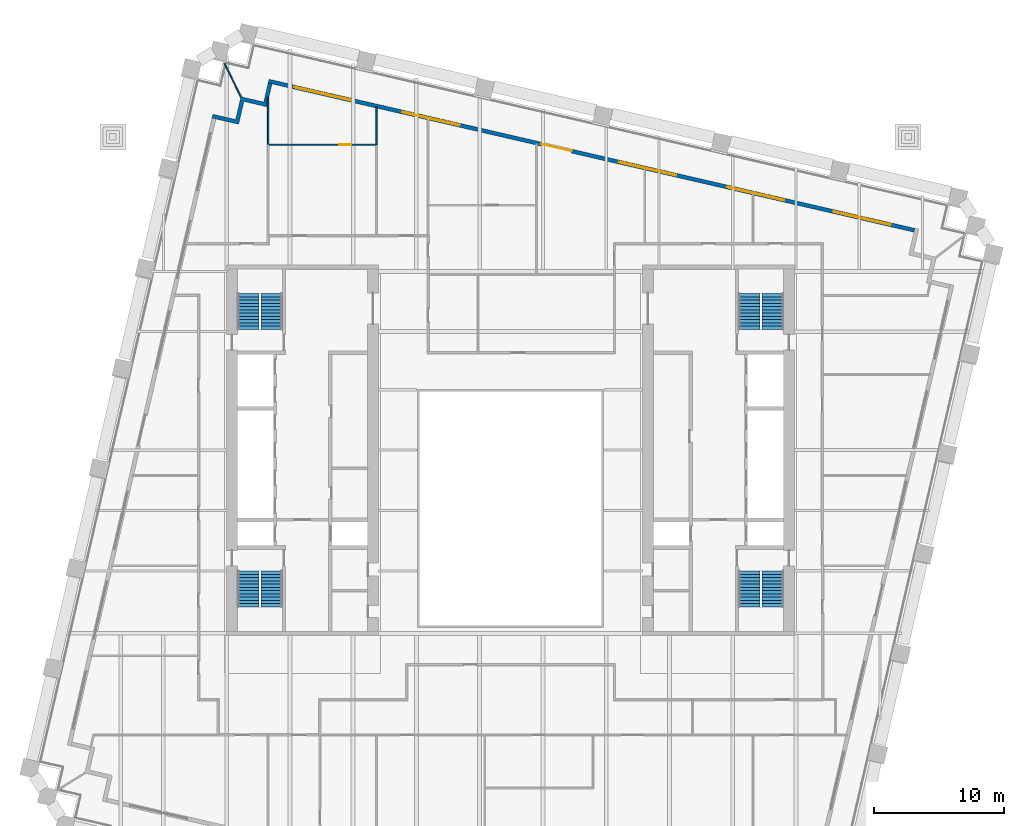
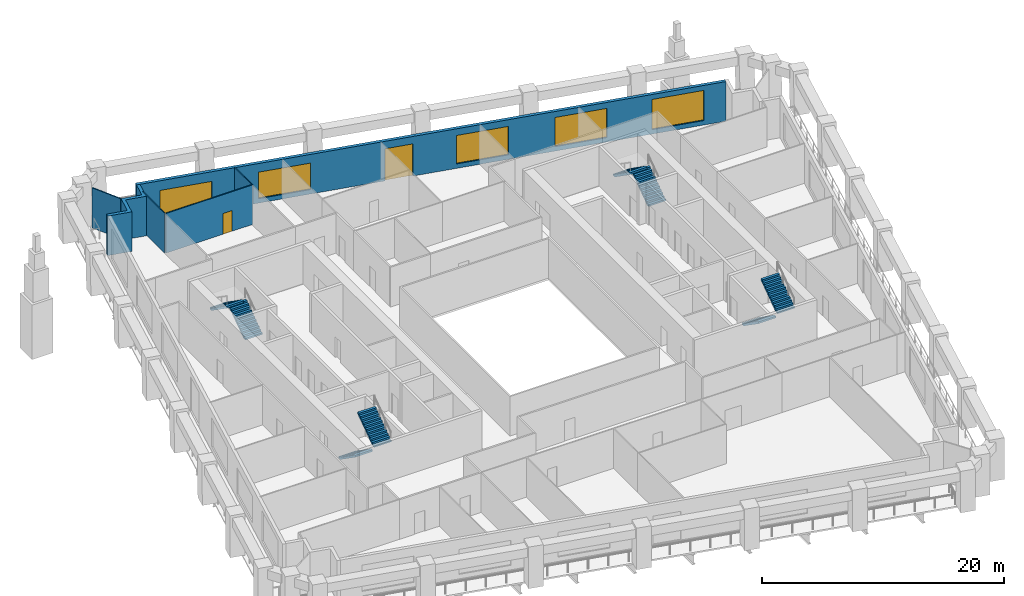
# One storey, part 9 of 10: 8 stair flights, 6 walls, 5 windows, 2 doors, 7 openings, 4 elements without a shape of their own.
"""IFC4 building model written with IfcOpenShell, lengths in metres."""

from ifc_helpers import new_model, si_unit, direction, frame, frame_2d, origin, place, context, subcontext, project, spatial, polyline, rectangle, outline, extrude, material, layer, layer_set, type_object, element, fill, aggregate, save


model = new_model("IFC4")

# Units and contexts
model_context = context("Model", 3, precision=1e-05, world=origin(), true_north=direction((0.0, 1.0)))
body_context = subcontext(model_context, "Body", "Model", "MODEL_VIEW")
ifc_project = project(units=[si_unit("LENGTHUNIT", "METRE"), si_unit("AREAUNIT", "SQUARE_METRE"), si_unit("VOLUMEUNIT", "CUBIC_METRE"), si_unit("PLANEANGLEUNIT", "RADIAN"), si_unit("MASSUNIT", "GRAM", prefix="KILO")], contexts=[model_context])

# Site, building, storey
site_placement = place(None, origin())
site = spatial("IfcSite", under=ifc_project, at=site_placement, CompositionType="ELEMENT")
building_placement = place(site_placement, origin())
building = spatial("IfcBuilding", under=site, at=building_placement, Name="Ogive Exchange Tower", CompositionType="ELEMENT")
storey_placement = place(building_placement, frame((0.0, 0.0, 105.60009765625)))
storey = spatial("IfcBuildingStorey", under=building, at=storey_placement, Name="L22", CompositionType="ELEMENT", Elevation=105.60009765625)

# Wall, openings, door, windows
ifc_material_1 = material(Name="Precast concrete C40/50", Category="concrete")
ifc_layer_1 = layer(ifc_material_1, 0.300048828125)
ifc_layer_set_1 = layer_set([ifc_layer_1], Name="Limestone-faced wall 300")
wall_type_1 = type_object("IfcWallType", Name="Limestone-faced wall 300", PredefinedType="STANDARD", material=ifc_layer_set_1)
wall_1_placement = place(storey_placement, frame((31.07763671875, 28.4208984375, 0.0), z_axis=(0.0, 0.0, 1.0), x_axis=(-0.974370456532, 0.224949357493, 0.0)))
wall_1 = element("IfcWall", 1, at=wall_1_placement, inside=storey, type_object=wall_type_1, Name="External wall N3", PredefinedType="STANDARD", context=body_context, shape_type="SweptSolid", body=[
    extrude(rectangle(XDim=51.0, YDim=0.300048828125, at=frame_2d((25.5, 0.0))), origin(), (0.0, 0.0, 1.0), 4.0),
])
opening_1_placement = place(wall_1_placement, frame((1.875, 0.0, 0.449951171875)))
opening_1 = element("IfcOpeningElement", 2, at=opening_1_placement, cuts=wall_1, Name="Opening W1", PredefinedType="OPENING", context=body_context, shape_type="SweptSolid", body=[
    extrude(rectangle(XDim=4.5, YDim=3.050048828125, at=frame_2d((2.25, 1.52490234375))), frame((0.0, 0.159912109375, 0.0), z_axis=(0.0, -1.0, 0.0), x_axis=(1.0, 0.0, 0.0)), (0.0, 0.0, 1.0), 0.320068359375),
])
opening_2_placement = place(wall_1_placement, frame((10.27490234375, 0.0, 0.449951171875)))
opening_2 = element("IfcOpeningElement", 3, at=opening_2_placement, cuts=wall_1, Name="Opening W1B", PredefinedType="OPENING", context=body_context, shape_type="SweptSolid", body=[
    extrude(rectangle(XDim=4.5, YDim=2.949951171875, at=frame_2d((2.25, 1.47509765625))), frame((0.0, 0.159912109375, 0.0), z_axis=(0.0, -1.0, 0.0), x_axis=(1.0, 0.0, 0.0)), (0.0, 0.0, 1.0), 0.320068359375),
])
opening_3_placement = place(wall_1_placement, frame((18.824951171875, 0.0, 0.449951171875)))
opening_3 = element("IfcOpeningElement", 4, at=opening_3_placement, cuts=wall_1, Name="Opening W1D", PredefinedType="OPENING", context=body_context, shape_type="SweptSolid", body=[
    extrude(rectangle(XDim=4.5, YDim=2.875, at=frame_2d((2.25, 1.4375))), frame((0.0, 0.159912109375, 0.0), z_axis=(0.0, -1.0, 0.0), x_axis=(1.0, 0.0, 0.0)), (0.0, 0.0, 1.0), 0.320068359375),
])
opening_4_placement = place(wall_1_placement, frame((27.074951171875, 0.0, 0.0)))
opening_4 = element("IfcOpeningElement", 5, at=opening_4_placement, cuts=wall_1, Name="Opening D1F", PredefinedType="OPENING", context=body_context, shape_type="SweptSolid", body=[
    extrude(rectangle(XDim=2.39990234375, YDim=3.25, at=frame_2d((1.199951171875, 1.625))), frame((0.0, 0.159912109375, 0.0), z_axis=(0.0, -1.0, 0.0), x_axis=(1.0, 0.0, 0.0)), (0.0, 0.0, 1.0), 0.320068359375),
])
opening_5_placement = place(wall_1_placement, frame((35.925048828125, 0.0, 0.449951171875)))
opening_5 = element("IfcOpeningElement", 6, at=opening_5_placement, cuts=wall_1, Name="Opening W1J", PredefinedType="OPENING", context=body_context, shape_type="SweptSolid", body=[
    extrude(rectangle(XDim=4.5, YDim=2.675048828125, at=frame_2d((2.25, 1.33740234375))), frame((0.0, 0.159912109375, 0.0), z_axis=(0.0, -1.0, 0.0), x_axis=(1.0, 0.0, 0.0)), (0.0, 0.0, 1.0), 0.320068359375),
])
opening_6_placement = place(wall_1_placement, frame((44.47509765625, 0.0, 0.449951171875)))
opening_6 = element("IfcOpeningElement", 7, at=opening_6_placement, cuts=wall_1, Name="Opening W1M", PredefinedType="OPENING", context=body_context, shape_type="SweptSolid", body=[
    extrude(rectangle(XDim=4.5, YDim=2.574951171875, at=frame_2d((2.25, 1.28759765625))), frame((0.0, 0.159912109375, 0.0), z_axis=(0.0, -1.0, 0.0), x_axis=(1.0, 0.0, 0.0)), (0.0, 0.0, 1.0), 0.320068359375),
])
ifc_material_2 = material(Name="Clear glass in bronze frame", Category="glass")
door_type_1 = type_object("IfcDoorType", Name="Sliding loggia door 2400 x 3250", OperationType="DOUBLE_DOOR_SLIDING", PredefinedType="DOOR", material=ifc_material_2)
door_1_placement = place(opening_4_placement, origin())
door_1 = element("IfcDoor", 8, at=door_1_placement, inside=storey, type_object=door_type_1, Name="Loggia door N03", OperationType="DOUBLE_DOOR_SLIDING", OverallHeight=3.25, OverallWidth=2.39990234375, PredefinedType="DOOR", context=body_context, shape_type="SweptSolid", body=[
    extrude(rectangle(XDim=2.39990234375, YDim=3.25, at=frame_2d((1.199951171875, 1.625))), frame((0.0, 0.02490234375, 0.0), z_axis=(0.0, -1.0, 0.0), x_axis=(1.0, 0.0, 0.0)), (0.0, 0.0, 1.0), 0.050048828125),
])
fill(opening_4, door_1)
window_type_1 = type_object("IfcWindowType", Name="Twin lancet window 4500 x 2575", PartitioningType="DOUBLE_PANEL_VERTICAL", PredefinedType="WINDOW", material=ifc_material_2)
window_1_placement = place(opening_6_placement, origin())
window_1 = element("IfcWindow", 9, at=window_1_placement, inside=storey, type_object=window_type_1, Name="Window N05", OverallHeight=2.574951171875, OverallWidth=4.5, PartitioningType="DOUBLE_PANEL_VERTICAL", PredefinedType="WINDOW", context=body_context, shape_type="SweptSolid", body=[
    extrude(rectangle(XDim=4.5, YDim=2.574951171875, at=frame_2d((2.25, 1.28759765625))), frame((0.0, 0.030029296875, 0.0), z_axis=(0.0, -1.0, 0.0), x_axis=(1.0, 0.0, 0.0)), (0.0, 0.0, 1.0), 0.06005859375),
])
fill(opening_6, window_1)
window_type_2 = type_object("IfcWindowType", Name="Twin lancet window 4500 x 2675", PartitioningType="DOUBLE_PANEL_VERTICAL", PredefinedType="WINDOW", material=ifc_material_2)
window_2_placement = place(opening_5_placement, origin())
window_2 = element("IfcWindow", 10, at=window_2_placement, inside=storey, type_object=window_type_2, Name="Window N04", OverallHeight=2.675048828125, OverallWidth=4.5, PartitioningType="DOUBLE_PANEL_VERTICAL", PredefinedType="WINDOW", context=body_context, shape_type="SweptSolid", body=[
    extrude(rectangle(XDim=4.5, YDim=2.675048828125, at=frame_2d((2.25, 1.33740234375))), frame((0.0, 0.030029296875, 0.0), z_axis=(0.0, -1.0, 0.0), x_axis=(1.0, 0.0, 0.0)), (0.0, 0.0, 1.0), 0.06005859375),
])
fill(opening_5, window_2)
window_type_3 = type_object("IfcWindowType", Name="Twin lancet window 4500 x 2875", PartitioningType="DOUBLE_PANEL_VERTICAL", PredefinedType="WINDOW", material=ifc_material_2)
window_3_placement = place(opening_3_placement, origin())
window_3 = element("IfcWindow", 11, at=window_3_placement, inside=storey, type_object=window_type_3, Name="Window N02", OverallHeight=2.875, OverallWidth=4.5, PartitioningType="DOUBLE_PANEL_VERTICAL", PredefinedType="WINDOW", context=body_context, shape_type="SweptSolid", body=[
    extrude(rectangle(XDim=4.5, YDim=2.875, at=frame_2d((2.25, 1.4375))), frame((0.0, 0.030029296875, 0.0), z_axis=(0.0, -1.0, 0.0), x_axis=(1.0, 0.0, 0.0)), (0.0, 0.0, 1.0), 0.06005859375),
])
fill(opening_3, window_3)
window_type_4 = type_object("IfcWindowType", Name="Twin lancet window 4500 x 2950", PartitioningType="DOUBLE_PANEL_VERTICAL", PredefinedType="WINDOW", material=ifc_material_2)
window_4_placement = place(opening_2_placement, origin())
window_4 = element("IfcWindow", 12, at=window_4_placement, inside=storey, type_object=window_type_4, Name="Window N01", OverallHeight=2.949951171875, OverallWidth=4.5, PartitioningType="DOUBLE_PANEL_VERTICAL", PredefinedType="WINDOW", context=body_context, shape_type="SweptSolid", body=[
    extrude(rectangle(XDim=4.5, YDim=2.949951171875, at=frame_2d((2.25, 1.47509765625))), frame((0.0, 0.030029296875, 0.0), z_axis=(0.0, -1.0, 0.0), x_axis=(1.0, 0.0, 0.0)), (0.0, 0.0, 1.0), 0.06005859375),
])
fill(opening_2, window_4)
window_type_5 = type_object("IfcWindowType", Name="Twin lancet window 4500 x 3050", PartitioningType="DOUBLE_PANEL_VERTICAL", PredefinedType="WINDOW", material=ifc_material_2)
window_5_placement = place(opening_1_placement, origin())
window_5 = element("IfcWindow", 13, at=window_5_placement, inside=storey, type_object=window_type_5, Name="Window N00", OverallHeight=3.050048828125, OverallWidth=4.5, PartitioningType="DOUBLE_PANEL_VERTICAL", PredefinedType="WINDOW", context=body_context, shape_type="SweptSolid", body=[
    extrude(rectangle(XDim=4.5, YDim=3.050048828125, at=frame_2d((2.25, 1.52490234375))), frame((0.0, 0.030029296875, 0.0), z_axis=(0.0, -1.0, 0.0), x_axis=(1.0, 0.0, 0.0)), (0.0, 0.0, 1.0), 0.06005859375),
])
fill(opening_1, window_5)

# Walls
wall_2_placement = place(storey_placement, origin())
element("IfcWall", 14, at=wall_2_placement, inside=storey, type_object=wall_type_1, Name="External corner wall C3", PredefinedType="STANDARD", context=body_context, shape_type="SweptSolid", body=[
    extrude(outline(polyline([(-22.966552734375, 37.04931640625), (-22.89892578125, 37.341552734375), (-21.145263671875, 36.936767578125), (-20.740234375, 38.690673828125), (-18.986328125, 38.28564453125), (-18.64892578125, 39.747314453125), (-18.356689453125, 39.6796875), (-18.76171875, 37.92578125), (-20.515380859375, 38.330810546875), (-20.92041015625, 36.576904296875), (-22.966552734375, 37.04931640625)])), origin(), (0.0, 0.0, 1.0), 4.0),
])
ifc_material_3 = material(Name="Laminated safety glass in steel frame", Category="steel")
ifc_layer_2 = layer(ifc_material_3, 0.10009765625)
ifc_layer_set_2 = layer_set([ifc_layer_2], Name="Loggia end screen 100")
wall_type_2 = type_object("IfcWallType", Name="Loggia end screen 100", PredefinedType="STANDARD", material=ifc_layer_set_2)
wall_3_placement = place(storey_placement, frame((-20.740234375, 38.690673828125, -0.050048828125), z_axis=(0.0, 0.0, 1.0), x_axis=(-0.441125841368, 0.897445258541, 0.0)))
element("IfcWall", 15, at=wall_3_placement, inside=storey, type_object=wall_type_2, Name="Loggia end screen C3", PredefinedType="STANDARD", context=body_context, shape_type="SweptSolid", body=[
    extrude(rectangle(XDim=2.860107421875, YDim=0.10009765625, at=frame_2d((1.43017578125, 0.0))), origin(), (0.0, 0.0, 1.0), 4.050048828125),
])
ifc_material_4 = material(Name="Partition 100 gypsum")
ifc_layer_3 = layer(ifc_material_4, 0.10009765625)
ifc_layer_set_3 = layer_set([ifc_layer_3], Name="Partition 100 gypsum")
wall_type_3 = type_object("IfcWallType", Name="Partition 100 gypsum", PredefinedType="PARTITIONING", material=ifc_layer_set_3)
wall_4_placement = place(storey_placement, frame((-18.64990234375, 35.050048828125, 0.0), z_axis=(0.0, 0.0, 1.0), x_axis=(0.0, 1.0, 0.0)))
element("IfcWall", 16, at=wall_4_placement, inside=storey, type_object=wall_type_3, Name="L22-PWL-020", PredefinedType="PARTITIONING", context=body_context, shape_type="SweptSolid", body=[
    extrude(rectangle(XDim=3.60400390625, YDim=0.10009765625, at=frame_2d((1.802001953125, 0.0))), origin(), (0.0, 0.0, 1.0), 4.0),
])

# Wall, opening, door
wall_5_placement = place(storey_placement, frame((-18.60009765625, 35.0, 0.0), z_axis=(0.0, 0.0, 1.0), x_axis=(1.0, 0.0, 0.0)))
wall_5 = element("IfcWall", 17, at=wall_5_placement, inside=storey, type_object=wall_type_3, Name="L22-PWL-021", PredefinedType="PARTITIONING", context=body_context, shape_type="SweptSolid", body=[
    extrude(rectangle(XDim=8.330078125, YDim=0.10009765625, at=frame_2d((4.1650390625, 0.0))), origin(), (0.0, 0.0, 1.0), 4.0),
])
opening_7_placement = place(wall_5_placement, frame((5.429931640625, 0.0, 0.0)))
opening_7 = element("IfcOpeningElement", 18, at=opening_7_placement, cuts=wall_5, Name="Opening L22-I13", PredefinedType="OPENING", context=body_context, shape_type="SweptSolid", body=[
    extrude(rectangle(XDim=0.89990234375, YDim=2.10009765625, at=frame_2d((0.449951171875, 1.050048828125))), frame((0.0, 0.06005859375, 0.0), z_axis=(0.0, -1.0, 0.0), x_axis=(1.0, 0.0, 0.0)), (0.0, 0.0, 1.0), 0.1201171875),
])
ifc_material_5 = material(Name="Door 900 x 2100")
door_type_2 = type_object("IfcDoorType", Name="Door 900 x 2100", OperationType="NOTDEFINED", PredefinedType="DOOR", material=ifc_material_5)
door_2_placement = place(opening_7_placement, origin())
door_2 = element("IfcDoor", 19, at=door_2_placement, inside=storey, type_object=door_type_2, Name="L22-IDR-013", ObjectType="DT1", OperationType="SINGLE_SWING_LEFT", OverallHeight=2.10009765625, OverallWidth=0.89990234375, PredefinedType="DOOR", context=body_context, shape_type="SweptSolid", body=[
    extrude(rectangle(XDim=0.89990234375, YDim=2.10009765625, at=frame_2d((0.449951171875, 1.050048828125))), frame((0.0, 0.02490234375, 0.0), z_axis=(0.0, -1.0, 0.0), x_axis=(1.0, 0.0, 0.0)), (0.0, 0.0, 1.0), 0.050048828125),
])
fill(opening_7, door_2)

# Wall
wall_6_placement = place(storey_placement, frame((-10.320068359375, 35.050048828125, 0.0), z_axis=(0.0, 0.0, 1.0), x_axis=(0.0, 1.0, 0.0)))
element("IfcWall", 20, at=wall_6_placement, inside=storey, type_object=wall_type_3, Name="L22-PWL-029", PredefinedType="PARTITIONING", context=body_context, shape_type="SweptSolid", body=[
    extrude(rectangle(XDim=2.85693359375, YDim=0.10009765625, at=frame_2d((1.428466796875, 0.0))), origin(), (0.0, 0.0, 1.0), 4.0),
])

# Stair, stair flights
ifc_material_6 = material(Name="Concrete C40/50", Category="concrete")
stair_type = type_object("IfcStairType", Name="Exit stair 1650 wide", PredefinedType="HALF_TURN_STAIR", material=ifc_material_6)
stair_1_placement = place(storey_placement, origin())
stair_1 = element("IfcStair", 21, at=stair_1_placement, inside=storey, type_object=stair_type, Name="L22 exit stair ST1", PredefinedType="HALF_TURN_STAIR")
stair_flight_type = type_object("IfcStairFlightType", Name="Stair flight 1650 wide", PredefinedType="STRAIGHT", material=ifc_material_6)
stair_flight_1_placement = place(storey_placement, frame((-20.175048828125, 2.199951171875, 0.0), z_axis=(0.0, 0.0, 1.0), x_axis=(0.0, -1.0, 0.0)))
stair_flight_1 = element("IfcStairFlight", 22, at=stair_flight_1_placement, type_object=stair_flight_type, Name="ST1 flight 1", NumberOfRisers=12, NumberOfTreads=11, PredefinedType="STRAIGHT", RiserHeight=0.175, TreadLength=0.25, context=body_context, shape_type="SweptSolid", body=[
    extrude(outline(polyline([(0.0, 0.0), (0.0, 0.175048828125), (0.25, 0.175048828125), (0.25, 0.35009765625), (0.5, 0.35009765625), (0.5, 0.52490234375), (0.75, 0.52490234375), (0.75, 0.699951171875), (1.0, 0.699951171875), (1.0, 0.875), (1.25, 0.875), (1.25, 1.050048828125), (1.5, 1.050048828125), (1.5, 1.22509765625), (1.75, 1.22509765625), (1.75, 1.39990234375), (2.0, 1.39990234375), (2.0, 1.574951171875), (2.25, 1.574951171875), (2.25, 1.75), (2.5, 1.75), (2.5, 1.925048828125), (2.75, 1.925048828125), (2.75, 2.10009765625), (2.75, 1.741943359375), (0.261474609375, 0.0), (0.0, 0.0)])), frame((0.0, 0.824951171875, 0.0), z_axis=(0.0, -1.0, 0.0), x_axis=(1.0, 0.0, 0.0)), (0.0, 0.0, 1.0), 1.64990234375),
])
stair_flight_2_placement = place(storey_placement, frame((-18.375, -0.550048828125, 2.099853515625), z_axis=(0.0, 0.0, 1.0), x_axis=(0.0, 1.0, 0.0)))
stair_flight_2 = element("IfcStairFlight", 23, at=stair_flight_2_placement, type_object=stair_flight_type, Name="ST1 flight 2", NumberOfRisers=12, NumberOfTreads=11, PredefinedType="STRAIGHT", RiserHeight=0.175, TreadLength=0.25, context=body_context, shape_type="SweptSolid", body=[
    extrude(outline(polyline([(0.0, 0.0), (0.0, 0.175048828125), (0.25, 0.175048828125), (0.25, 0.35009765625), (0.5, 0.35009765625), (0.5, 0.52490234375), (0.75, 0.52490234375), (0.75, 0.699951171875), (1.0, 0.699951171875), (1.0, 0.875), (1.25, 0.875), (1.25, 1.050048828125), (1.5, 1.050048828125), (1.5, 1.22509765625), (1.75, 1.22509765625), (1.75, 1.39990234375), (2.0, 1.39990234375), (2.0, 1.574951171875), (2.25, 1.574951171875), (2.25, 1.75), (2.5, 1.75), (2.5, 1.925048828125), (2.75, 1.925048828125), (2.75, 2.10009765625), (2.75, 1.741943359375), (0.261474609375, 0.0), (0.0, 0.0)])), frame((0.0, 0.824951171875, 0.0), z_axis=(0.0, -1.0, 0.0), x_axis=(1.0, 0.0, 0.0)), (0.0, 0.0, 1.0), 1.64990234375),
])
aggregate(stair_1, [stair_flight_1, stair_flight_2])

stair_2_placement = place(storey_placement, origin())
stair_2 = element("IfcStair", 24, at=stair_2_placement, inside=storey, type_object=stair_type, Name="L22 exit stair ST2", PredefinedType="HALF_TURN_STAIR")
stair_flight_3_placement = place(storey_placement, frame((-18.375, 20.800048828125, 0.0), z_axis=(0.0, 0.0, 1.0), x_axis=(0.0, 1.0, 0.0)))
stair_flight_3 = element("IfcStairFlight", 25, at=stair_flight_3_placement, type_object=stair_flight_type, Name="ST2 flight 1", NumberOfRisers=12, NumberOfTreads=11, PredefinedType="STRAIGHT", RiserHeight=0.175, TreadLength=0.25, context=body_context, shape_type="SweptSolid", body=[
    extrude(outline(polyline([(0.0, 0.0), (0.0, 0.175048828125), (0.25, 0.175048828125), (0.25, 0.35009765625), (0.5, 0.35009765625), (0.5, 0.52490234375), (0.75, 0.52490234375), (0.75, 0.699951171875), (1.0, 0.699951171875), (1.0, 0.875), (1.25, 0.875), (1.25, 1.050048828125), (1.5, 1.050048828125), (1.5, 1.22509765625), (1.75, 1.22509765625), (1.75, 1.39990234375), (2.0, 1.39990234375), (2.0, 1.574951171875), (2.25, 1.574951171875), (2.25, 1.75), (2.5, 1.75), (2.5, 1.925048828125), (2.75, 1.925048828125), (2.75, 2.10009765625), (2.75, 1.741943359375), (0.261474609375, 0.0), (0.0, 0.0)])), frame((0.0, 0.824951171875, 0.0), z_axis=(0.0, -1.0, 0.0), x_axis=(1.0, 0.0, 0.0)), (0.0, 0.0, 1.0), 1.64990234375),
])
stair_flight_4_placement = place(storey_placement, frame((-20.175048828125, 23.550048828125, 2.099853515625), z_axis=(0.0, 0.0, 1.0), x_axis=(0.0, -1.0, 0.0)))
stair_flight_4 = element("IfcStairFlight", 26, at=stair_flight_4_placement, type_object=stair_flight_type, Name="ST2 flight 2", NumberOfRisers=12, NumberOfTreads=11, PredefinedType="STRAIGHT", RiserHeight=0.175, TreadLength=0.25, context=body_context, shape_type="SweptSolid", body=[
    extrude(outline(polyline([(0.0, 0.0), (0.0, 0.175048828125), (0.25, 0.175048828125), (0.25, 0.35009765625), (0.5, 0.35009765625), (0.5, 0.52490234375), (0.75, 0.52490234375), (0.75, 0.699951171875), (1.0, 0.699951171875), (1.0, 0.875), (1.25, 0.875), (1.25, 1.050048828125), (1.5, 1.050048828125), (1.5, 1.22509765625), (1.75, 1.22509765625), (1.75, 1.39990234375), (2.0, 1.39990234375), (2.0, 1.574951171875), (2.25, 1.574951171875), (2.25, 1.75), (2.5, 1.75), (2.5, 1.925048828125), (2.75, 1.925048828125), (2.75, 2.10009765625), (2.75, 1.741943359375), (0.261474609375, 0.0), (0.0, 0.0)])), frame((0.0, 0.824951171875, 0.0), z_axis=(0.0, -1.0, 0.0), x_axis=(1.0, 0.0, 0.0)), (0.0, 0.0, 1.0), 1.64990234375),
])
aggregate(stair_2, [stair_flight_3, stair_flight_4])

stair_3_placement = place(storey_placement, origin())
stair_3 = element("IfcStair", 27, at=stair_3_placement, inside=storey, type_object=stair_type, Name="L22 exit stair ST3", PredefinedType="HALF_TURN_STAIR")
stair_flight_5_placement = place(storey_placement, frame((18.375, 2.199951171875, 0.0), z_axis=(0.0, 0.0, 1.0), x_axis=(0.0, -1.0, 0.0)))
stair_flight_5 = element("IfcStairFlight", 28, at=stair_flight_5_placement, type_object=stair_flight_type, Name="ST3 flight 1", NumberOfRisers=12, NumberOfTreads=11, PredefinedType="STRAIGHT", RiserHeight=0.175, TreadLength=0.25, context=body_context, shape_type="SweptSolid", body=[
    extrude(outline(polyline([(0.0, 0.0), (0.0, 0.175048828125), (0.25, 0.175048828125), (0.25, 0.35009765625), (0.5, 0.35009765625), (0.5, 0.52490234375), (0.75, 0.52490234375), (0.75, 0.699951171875), (1.0, 0.699951171875), (1.0, 0.875), (1.25, 0.875), (1.25, 1.050048828125), (1.5, 1.050048828125), (1.5, 1.22509765625), (1.75, 1.22509765625), (1.75, 1.39990234375), (2.0, 1.39990234375), (2.0, 1.574951171875), (2.25, 1.574951171875), (2.25, 1.75), (2.5, 1.75), (2.5, 1.925048828125), (2.75, 1.925048828125), (2.75, 2.10009765625), (2.75, 1.741943359375), (0.261474609375, 0.0), (0.0, 0.0)])), frame((0.0, 0.824951171875, 0.0), z_axis=(0.0, -1.0, 0.0), x_axis=(1.0, 0.0, 0.0)), (0.0, 0.0, 1.0), 1.64990234375),
])
stair_flight_6_placement = place(storey_placement, frame((20.175048828125, -0.550048828125, 2.099853515625), z_axis=(0.0, 0.0, 1.0), x_axis=(0.0, 1.0, 0.0)))
stair_flight_6 = element("IfcStairFlight", 29, at=stair_flight_6_placement, type_object=stair_flight_type, Name="ST3 flight 2", NumberOfRisers=12, NumberOfTreads=11, PredefinedType="STRAIGHT", RiserHeight=0.175, TreadLength=0.25, context=body_context, shape_type="SweptSolid", body=[
    extrude(outline(polyline([(0.0, 0.0), (0.0, 0.175048828125), (0.25, 0.175048828125), (0.25, 0.35009765625), (0.5, 0.35009765625), (0.5, 0.52490234375), (0.75, 0.52490234375), (0.75, 0.699951171875), (1.0, 0.699951171875), (1.0, 0.875), (1.25, 0.875), (1.25, 1.050048828125), (1.5, 1.050048828125), (1.5, 1.22509765625), (1.75, 1.22509765625), (1.75, 1.39990234375), (2.0, 1.39990234375), (2.0, 1.574951171875), (2.25, 1.574951171875), (2.25, 1.75), (2.5, 1.75), (2.5, 1.925048828125), (2.75, 1.925048828125), (2.75, 2.10009765625), (2.75, 1.741943359375), (0.261474609375, 0.0), (0.0, 0.0)])), frame((0.0, 0.824951171875, 0.0), z_axis=(0.0, -1.0, 0.0), x_axis=(1.0, 0.0, 0.0)), (0.0, 0.0, 1.0), 1.64990234375),
])
aggregate(stair_3, [stair_flight_5, stair_flight_6])

stair_4_placement = place(storey_placement, origin())
stair_4 = element("IfcStair", 30, at=stair_4_placement, inside=storey, type_object=stair_type, Name="L22 exit stair ST4", PredefinedType="HALF_TURN_STAIR")
stair_flight_7_placement = place(storey_placement, frame((20.175048828125, 20.800048828125, 0.0), z_axis=(0.0, 0.0, 1.0), x_axis=(0.0, 1.0, 0.0)))
stair_flight_7 = element("IfcStairFlight", 31, at=stair_flight_7_placement, type_object=stair_flight_type, Name="ST4 flight 1", NumberOfRisers=12, NumberOfTreads=11, PredefinedType="STRAIGHT", RiserHeight=0.175, TreadLength=0.25, context=body_context, shape_type="SweptSolid", body=[
    extrude(outline(polyline([(0.0, 0.0), (0.0, 0.175048828125), (0.25, 0.175048828125), (0.25, 0.35009765625), (0.5, 0.35009765625), (0.5, 0.52490234375), (0.75, 0.52490234375), (0.75, 0.699951171875), (1.0, 0.699951171875), (1.0, 0.875), (1.25, 0.875), (1.25, 1.050048828125), (1.5, 1.050048828125), (1.5, 1.22509765625), (1.75, 1.22509765625), (1.75, 1.39990234375), (2.0, 1.39990234375), (2.0, 1.574951171875), (2.25, 1.574951171875), (2.25, 1.75), (2.5, 1.75), (2.5, 1.925048828125), (2.75, 1.925048828125), (2.75, 2.10009765625), (2.75, 1.741943359375), (0.261474609375, 0.0), (0.0, 0.0)])), frame((0.0, 0.824951171875, 0.0), z_axis=(0.0, -1.0, 0.0), x_axis=(1.0, 0.0, 0.0)), (0.0, 0.0, 1.0), 1.64990234375),
])
stair_flight_8_placement = place(storey_placement, frame((18.375, 23.550048828125, 2.099853515625), z_axis=(0.0, 0.0, 1.0), x_axis=(0.0, -1.0, 0.0)))
stair_flight_8 = element("IfcStairFlight", 32, at=stair_flight_8_placement, type_object=stair_flight_type, Name="ST4 flight 2", NumberOfRisers=12, NumberOfTreads=11, PredefinedType="STRAIGHT", RiserHeight=0.175, TreadLength=0.25, context=body_context, shape_type="SweptSolid", body=[
    extrude(outline(polyline([(0.0, 0.0), (0.0, 0.175048828125), (0.25, 0.175048828125), (0.25, 0.35009765625), (0.5, 0.35009765625), (0.5, 0.52490234375), (0.75, 0.52490234375), (0.75, 0.699951171875), (1.0, 0.699951171875), (1.0, 0.875), (1.25, 0.875), (1.25, 1.050048828125), (1.5, 1.050048828125), (1.5, 1.22509765625), (1.75, 1.22509765625), (1.75, 1.39990234375), (2.0, 1.39990234375), (2.0, 1.574951171875), (2.25, 1.574951171875), (2.25, 1.75), (2.5, 1.75), (2.5, 1.925048828125), (2.75, 1.925048828125), (2.75, 2.10009765625), (2.75, 1.741943359375), (0.261474609375, 0.0), (0.0, 0.0)])), frame((0.0, 0.824951171875, 0.0), z_axis=(0.0, -1.0, 0.0), x_axis=(1.0, 0.0, 0.0)), (0.0, 0.0, 1.0), 1.64990234375),
])
aggregate(stair_4, [stair_flight_7, stair_flight_8])

save(model, "model.ifc")
